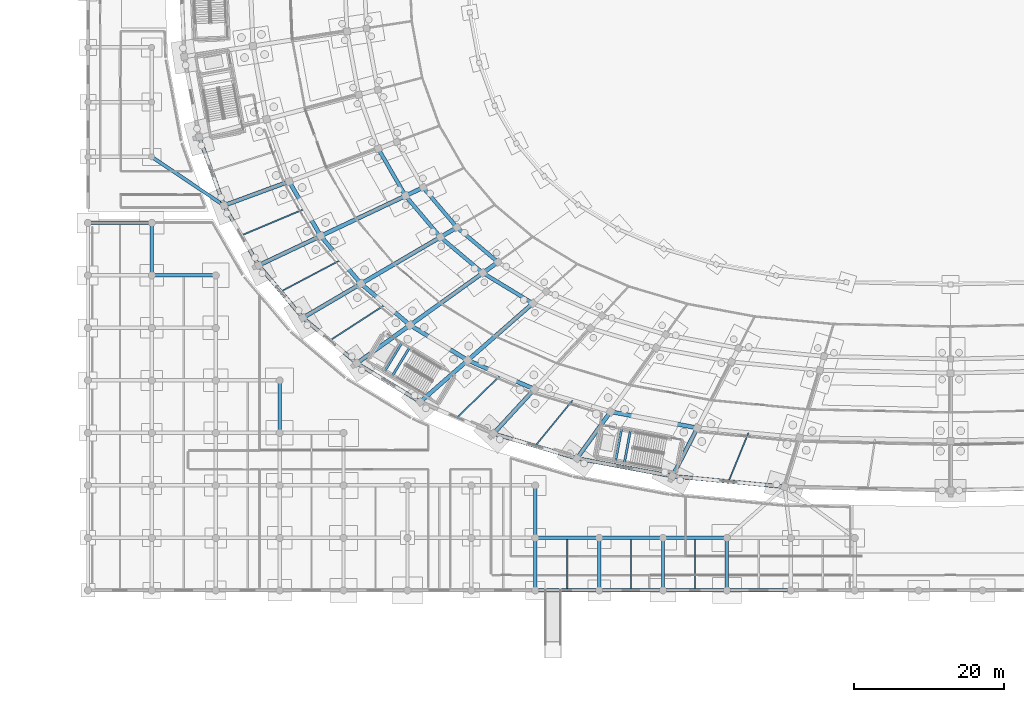
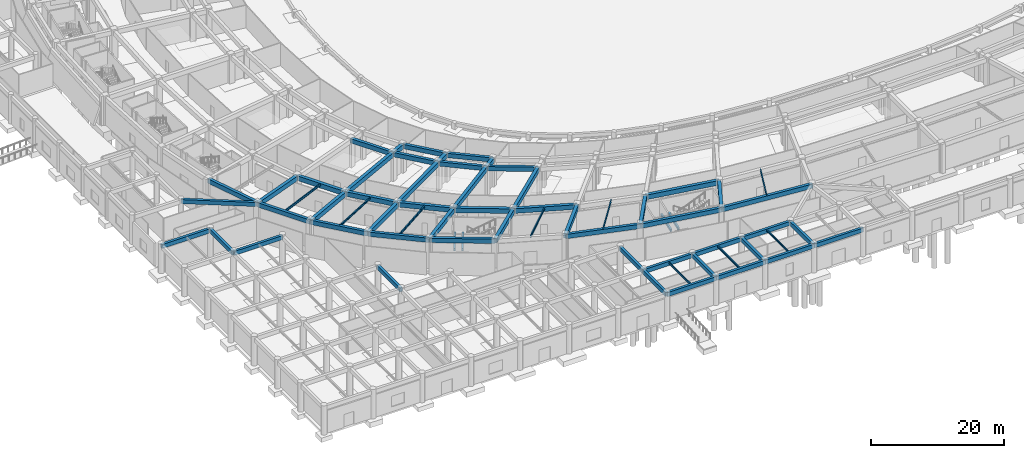
# One storey, part 26 of 88: 65 beams.
"""IFC4 building model written with IfcOpenShell, lengths in metres."""

from ifc_helpers import new_model, si_unit, direction, frame, origin, origin_2d, place, context, subcontext, project, spatial, rectangle, i_section, extrude, material, material_profile, profile_set, type_object, element, save


model = new_model("IFC4")

# Units and contexts
model_context = context("Model", 3, precision=1e-05, world=origin(), true_north=direction((0.0, 1.0)))
body_context = subcontext(model_context, "Body", "Model", "MODEL_VIEW")
ifc_project = project(units=[si_unit("LENGTHUNIT", "METRE"), si_unit("AREAUNIT", "SQUARE_METRE"), si_unit("VOLUMEUNIT", "CUBIC_METRE"), si_unit("PLANEANGLEUNIT", "RADIAN"), si_unit("MASSUNIT", "GRAM", prefix="KILO")], contexts=[model_context])

# Site, building, storey
site_placement = place(None, origin())
site = spatial("IfcSite", under=ifc_project, at=site_placement, CompositionType="ELEMENT")
building_placement = place(site_placement, origin())
building = spatial("IfcBuilding", under=site, at=building_placement, Name="Mphavela Belvedere Stadium", CompositionType="ELEMENT")
storey_placement = place(building_placement, origin())
storey = spatial("IfcBuildingStorey", under=building, at=storey_placement, Name="L00", CompositionType="ELEMENT", Elevation=0.0)

# Beams
ifc_material_1 = material(Name="Steel S355", Category="steel")
ifc_material_profile_1 = material_profile(ifc_material_1, i_section(OverallWidth=0.169921875, OverallDepth=0.360107421875, WebThickness=0.008056640625, FlangeThickness=0.0126953125, at=origin_2d()), Name="IPE 360")
ifc_profile_set_1 = profile_set([ifc_material_profile_1], Name="Steel S355")
beam_type_1 = type_object("IfcBeamType", Name="BM-JOIST-IPE360", PredefinedType="JOIST", material=ifc_profile_set_1)
beam_1_placement = place(storey_placement, frame((33.7119140625, 44.06884765625, 4.969970703125), z_axis=(-0.884250771824, -0.467012390123, 0.0), x_axis=(0.467012390123, -0.884250771824, 0.0)))
element("IfcBeam", 1, at=beam_1_placement, inside=storey, type_object=beam_type_1, Name="Concourse floor joist L00-29", PredefinedType="JOIST", context=body_context, shape_type="SweptSolid", body=[
    extrude(i_section(OverallWidth=0.169921875, OverallDepth=0.360107421875, WebThickness=0.008056640625, FlangeThickness=0.0126953125, at=origin_2d()), origin(), (0.0, 0.0, 1.0), 9.0498046875),
])
beam_2_placement = place(storey_placement, frame((64.593017578125, 25.327392578125, 4.969970703125), z_axis=(-0.632839277586, -0.774283183818, 0.0), x_axis=(0.774283183818, -0.632839277586, 0.0)))
element("IfcBeam", 2, at=beam_2_placement, inside=storey, type_object=beam_type_1, Name="Concourse floor joist L00-33", PredefinedType="JOIST", context=body_context, shape_type="SweptSolid", body=[
    extrude(i_section(OverallWidth=0.169921875, OverallDepth=0.360107421875, WebThickness=0.008056640625, FlangeThickness=0.0126953125, at=origin_2d()), origin(), (0.0, 0.0, 1.0), 7.841552734375),
])
beam_3_placement = place(storey_placement, frame((88.05859375, 21.015380859375, 4.969970703125), z_axis=(-0.378004122754, -0.925803911841, 0.0), x_axis=(0.925803911841, -0.378004122754, 0.0)))
element("IfcBeam", 3, at=beam_3_placement, inside=storey, type_object=beam_type_1, Name="Concourse floor joist L00-35", PredefinedType="JOIST", context=body_context, shape_type="SweptSolid", body=[
    extrude(i_section(OverallWidth=0.169921875, OverallDepth=0.360107421875, WebThickness=0.008056640625, FlangeThickness=0.0126953125, at=origin_2d()), origin(), (0.0, 0.0, 1.0), 7.0166015625),
])
for number, where, z_axis, x_axis, name in (
    (4, (63.888916015625, 0.22509765625, 4.9599609375), (0.0, 1.0, 0.0), (-1.0, 0.0, 0.0), "South Axial Triumphal Peristyle Portico secondary joist L00 8-1"),
    (5, (72.407470703125, 0.22509765625, 4.9599609375), (0.0, 1.0, 0.0), (-1.0, 0.0, 0.0), "South Axial Triumphal Peristyle Portico secondary joist L00 9-1"),
    (6, (80.926025390625, 0.22509765625, 4.9599609375), (0.0, 1.0, 0.0), (-1.0, 0.0, 0.0), "South Axial Triumphal Peristyle Portico secondary joist L00 10-1"),
):
    element("IfcBeam", number, at=place(storey_placement, frame(where, z_axis=z_axis, x_axis=x_axis)), inside=storey, type_object=beam_type_1, Name=name, PredefinedType="JOIST", context=body_context, shape_type="SweptSolid", body=[
        extrude(i_section(OverallWidth=0.169921875, OverallDepth=0.360107421875, WebThickness=0.008056640625, FlangeThickness=0.0126953125, at=origin_2d()), origin(), (0.0, 0.0, 1.0), 6.5498046875),
    ])
ifc_material_2 = material(Name="Steel S355", Category="steel")
ifc_material_profile_2 = material_profile(ifc_material_2, i_section(OverallWidth=0.179931640625, OverallDepth=0.39990234375, WebThickness=0.008544921875, FlangeThickness=0.013427734375, at=origin_2d()), Name="IPE 400")
ifc_profile_set_2 = profile_set([ifc_material_profile_2], Name="Steel S355")
beam_type_2 = type_object("IfcBeamType", Name="BM-JOIST-IPE400", PredefinedType="JOIST", material=ifc_profile_set_2)
beam_4_placement = place(storey_placement, frame((28.924560546875, 50.8837890625, 4.949951171875), z_axis=(-0.922112756047, -0.386921264775, 0.0), x_axis=(0.386921264775, -0.922112756047, 0.0)))
element("IfcBeam", 7, at=beam_4_placement, inside=storey, type_object=beam_type_2, Name="Concourse floor joist L00-28", PredefinedType="JOIST", context=body_context, shape_type="SweptSolid", body=[
    extrude(i_section(OverallWidth=0.179931640625, OverallDepth=0.39990234375, WebThickness=0.008544921875, FlangeThickness=0.013427734375, at=origin_2d()), origin(), (0.0, 0.0, 1.0), 9.189697265625),
])
beam_5_placement = place(storey_placement, frame((39.669189453125, 38.127197265625, 4.949951171875), z_axis=(-0.838915278194, -0.544262028818, 0.0), x_axis=(0.544262028818, -0.838915278194, 0.0)))
element("IfcBeam", 8, at=beam_5_placement, inside=storey, type_object=beam_type_2, Name="Concourse floor joist L00-30", PredefinedType="JOIST", context=body_context, shape_type="SweptSolid", body=[
    extrude(i_section(OverallWidth=0.179931640625, OverallDepth=0.39990234375, WebThickness=0.008544921875, FlangeThickness=0.013427734375, at=origin_2d()), origin(), (0.0, 0.0, 1.0), 8.840087890625),
])
beam_6_placement = place(storey_placement, frame((55.081787109375, 28.757568359375, 4.949951171875), z_axis=(-0.717067022089, -0.697004222249, 0.0), x_axis=(0.697004222249, -0.717067022089, 0.0)))
element("IfcBeam", 9, at=beam_6_placement, inside=storey, type_object=beam_type_2, Name="Concourse floor joist L00-32", PredefinedType="JOIST", context=body_context, shape_type="SweptSolid", body=[
    extrude(i_section(OverallWidth=0.179931640625, OverallDepth=0.39990234375, WebThickness=0.008544921875, FlangeThickness=0.013427734375, at=origin_2d()), origin(), (0.0, 0.0, 1.0), 8.22607421875),
])
ifc_material_3 = material(Name="Concrete C40/50", Category="concrete")
ifc_material_profile_3 = material_profile(ifc_material_3, rectangle(XDim=0.300048828125, YDim=0.449951171875, at=origin_2d()), Name="RC 300x450")
ifc_profile_set_3 = profile_set([ifc_material_profile_3], Name="Concrete C40/50")
beam_type_3 = type_object("IfcBeamType", Name="BM-RC300x450", PredefinedType="BEAM", material=ifc_profile_set_3)
for number, where, z_axis, x_axis, name in (
    (10, (42.879150390625, 32.381591796875, 2.27490234375), (-0.519674893272, -0.854364094109, 0.0), (0.854364094109, -0.519674893272, 0.0), "Core C10 landing trimmer beam L00-1"),
    (11, (41.85400390625, 33.005126953125, 2.27490234375), (-0.519674893272, -0.854364094109, 0.0), (0.854364094109, -0.519674893272, 0.0), "Core C10 landing trimmer beam L00-2"),
):
    element("IfcBeam", number, at=place(storey_placement, frame(where, z_axis=z_axis, x_axis=x_axis)), inside=storey, type_object=beam_type_3, Name=name, PredefinedType="BEAM", context=body_context, shape_type="SweptSolid", body=[
        extrude(rectangle(XDim=0.300048828125, YDim=0.449951171875, at=origin_2d()), origin(), (0.0, 0.0, 1.0), 4.47021484375),
    ])
for number, where, z_axis, x_axis, name in (
    (12, (72.329833984375, 21.36865234375, 2.27490234375), (-0.18307487535, -0.983098972645, 0.0), (0.983098972645, -0.18307487535, 0.0), "Core C11 landing trimmer beam L00-1"),
    (13, (71.150146484375, 21.58837890625, 2.27490234375), (-0.18307487535, -0.983098972645, 0.0), (0.983098972645, -0.18307487535, 0.0), "Core C11 landing trimmer beam L00-2"),
):
    element("IfcBeam", number, at=place(storey_placement, frame(where, z_axis=z_axis, x_axis=x_axis)), inside=storey, type_object=beam_type_3, Name=name, PredefinedType="BEAM", context=body_context, shape_type="SweptSolid", body=[
        extrude(rectangle(XDim=0.300048828125, YDim=0.449951171875, at=origin_2d()), origin(), (0.0, 0.0, 1.0), 4.469970703125),
    ])
ifc_material_4 = material(Name="Concrete C40/50", Category="concrete")
ifc_material_profile_4 = material_profile(ifc_material_4, rectangle(XDim=0.449951171875, YDim=0.75, at=origin_2d()), Name="RC 450x750")
ifc_profile_set_4 = profile_set([ifc_material_profile_4], Name="Concrete C40/50")
beam_type_4 = type_object("IfcBeamType", Name="BM-RC450x750", PredefinedType="BEAM", material=ifc_profile_set_4)
beam_7_placement = place(storey_placement, frame((0.0, 49.0, 4.764892578125), z_axis=(1.0, 0.0, 0.0), x_axis=(0.0, 1.0, 0.0)))
element("IfcBeam", 14, at=beam_7_placement, inside=storey, type_object=beam_type_4, Name="South Axial Triumphal Peristyle Portico entablature beam X L00 1-8", PredefinedType="BEAM", context=body_context, shape_type="SweptSolid", body=[
    extrude(rectangle(XDim=0.449951171875, YDim=0.75, at=origin_2d()), origin(), (0.0, 0.0, 1.0), 8.51904296875),
])
beam_8_placement = place(storey_placement, frame((8.51904296875, 42.0, 4.764892578125), z_axis=(1.0, 0.0, 0.0), x_axis=(0.0, 1.0, 0.0)))
element("IfcBeam", 15, at=beam_8_placement, inside=storey, type_object=beam_type_4, Name="South Axial Triumphal Peristyle Portico entablature beam X L00 2-7", PredefinedType="BEAM", context=body_context, shape_type="SweptSolid", body=[
    extrude(rectangle(XDim=0.449951171875, YDim=0.75, at=origin_2d()), origin(), (0.0, 0.0, 1.0), 8.51806640625),
])
for number, where, z_axis, x_axis, name in (
    (16, (8.51904296875, 42.0, 4.764892578125), (0.0, 1.0, 0.0), (-1.0, 0.0, 0.0), "South Axial Triumphal Peristyle Portico entablature beam Y L00 2-7"),
    (17, (25.555908203125, 21.0, 4.764892578125), (0.0, 1.0, 0.0), (-1.0, 0.0, 0.0), "South Axial Triumphal Peristyle Portico entablature beam Y L00 4-4"),
):
    element("IfcBeam", number, at=place(storey_placement, frame(where, z_axis=z_axis, x_axis=x_axis)), inside=storey, type_object=beam_type_4, Name=name, PredefinedType="BEAM", context=body_context, shape_type="SweptSolid", body=[
        extrude(rectangle(XDim=0.449951171875, YDim=0.75, at=origin_2d()), origin(), (0.0, 0.0, 1.0), 7.0),
    ])
beam_9_placement = place(storey_placement, frame((59.6298828125, 0.0, 4.764892578125), z_axis=(1.0, 0.0, 0.0), x_axis=(0.0, 1.0, 0.0)))
element("IfcBeam", 18, at=beam_9_placement, inside=storey, type_object=beam_type_4, Name="South Axial Triumphal Peristyle Portico entablature beam X L00 8-1", PredefinedType="BEAM", context=body_context, shape_type="SweptSolid", body=[
    extrude(rectangle(XDim=0.449951171875, YDim=0.75, at=origin_2d()), origin(), (0.0, 0.0, 1.0), 8.51806640625),
])
beam_10_placement = place(storey_placement, frame((59.6298828125, 0.0, 4.764892578125), z_axis=(0.0, 1.0, 0.0), x_axis=(-1.0, 0.0, 0.0)))
element("IfcBeam", 19, at=beam_10_placement, inside=storey, type_object=beam_type_4, Name="South Axial Triumphal Peristyle Portico entablature beam Y L00 8-1", PredefinedType="BEAM", context=body_context, shape_type="SweptSolid", body=[
    extrude(rectangle(XDim=0.449951171875, YDim=0.75, at=origin_2d()), origin(), (0.0, 0.0, 1.0), 7.0),
])
beam_11_placement = place(storey_placement, frame((59.6298828125, 7.0, 4.764892578125), z_axis=(1.0, 0.0, 0.0), x_axis=(0.0, 1.0, 0.0)))
element("IfcBeam", 20, at=beam_11_placement, inside=storey, type_object=beam_type_4, Name="South Axial Triumphal Peristyle Portico entablature beam X L00 8-2", PredefinedType="BEAM", context=body_context, shape_type="SweptSolid", body=[
    extrude(rectangle(XDim=0.449951171875, YDim=0.75, at=origin_2d()), origin(), (0.0, 0.0, 1.0), 8.51806640625),
])
beam_12_placement = place(storey_placement, frame((59.6298828125, 7.0, 4.764892578125), z_axis=(0.0, 1.0, 0.0), x_axis=(-1.0, 0.0, 0.0)))
element("IfcBeam", 21, at=beam_12_placement, inside=storey, type_object=beam_type_4, Name="South Axial Triumphal Peristyle Portico entablature beam Y L00 8-2", PredefinedType="BEAM", context=body_context, shape_type="SweptSolid", body=[
    extrude(rectangle(XDim=0.449951171875, YDim=0.75, at=origin_2d()), origin(), (0.0, 0.0, 1.0), 7.0),
])
beam_13_placement = place(storey_placement, frame((68.14794921875, 0.0, 4.764892578125), z_axis=(1.0, 0.0, 0.0), x_axis=(0.0, 1.0, 0.0)))
element("IfcBeam", 22, at=beam_13_placement, inside=storey, type_object=beam_type_4, Name="South Axial Triumphal Peristyle Portico entablature beam X L00 9-1", PredefinedType="BEAM", context=body_context, shape_type="SweptSolid", body=[
    extrude(rectangle(XDim=0.449951171875, YDim=0.75, at=origin_2d()), origin(), (0.0, 0.0, 1.0), 8.51904296875),
])
beam_14_placement = place(storey_placement, frame((68.14794921875, 0.0, 4.764892578125), z_axis=(0.0, 1.0, 0.0), x_axis=(-1.0, 0.0, 0.0)))
element("IfcBeam", 23, at=beam_14_placement, inside=storey, type_object=beam_type_4, Name="South Axial Triumphal Peristyle Portico entablature beam Y L00 9-1", PredefinedType="BEAM", context=body_context, shape_type="SweptSolid", body=[
    extrude(rectangle(XDim=0.449951171875, YDim=0.75, at=origin_2d()), origin(), (0.0, 0.0, 1.0), 7.0),
])
beam_15_placement = place(storey_placement, frame((68.14794921875, 7.0, 4.764892578125), z_axis=(1.0, 0.0, 0.0), x_axis=(0.0, 1.0, 0.0)))
element("IfcBeam", 24, at=beam_15_placement, inside=storey, type_object=beam_type_4, Name="South Axial Triumphal Peristyle Portico entablature beam X L00 9-2", PredefinedType="BEAM", context=body_context, shape_type="SweptSolid", body=[
    extrude(rectangle(XDim=0.449951171875, YDim=0.75, at=origin_2d()), origin(), (0.0, 0.0, 1.0), 8.51904296875),
])
beam_16_placement = place(storey_placement, frame((76.6669921875, 0.0, 4.764892578125), z_axis=(1.0, 0.0, 0.0), x_axis=(0.0, 1.0, 0.0)))
element("IfcBeam", 25, at=beam_16_placement, inside=storey, type_object=beam_type_4, Name="South Axial Triumphal Peristyle Portico entablature beam X L00 10-1", PredefinedType="BEAM", context=body_context, shape_type="SweptSolid", body=[
    extrude(rectangle(XDim=0.449951171875, YDim=0.75, at=origin_2d()), origin(), (0.0, 0.0, 1.0), 8.51806640625),
])
beam_17_placement = place(storey_placement, frame((76.6669921875, 0.0, 4.764892578125), z_axis=(0.0, 1.0, 0.0), x_axis=(-1.0, 0.0, 0.0)))
element("IfcBeam", 26, at=beam_17_placement, inside=storey, type_object=beam_type_4, Name="South Axial Triumphal Peristyle Portico entablature beam Y L00 10-1", PredefinedType="BEAM", context=body_context, shape_type="SweptSolid", body=[
    extrude(rectangle(XDim=0.449951171875, YDim=0.75, at=origin_2d()), origin(), (0.0, 0.0, 1.0), 7.0),
])
beam_18_placement = place(storey_placement, frame((76.6669921875, 7.0, 4.764892578125), z_axis=(1.0, 0.0, 0.0), x_axis=(0.0, 1.0, 0.0)))
element("IfcBeam", 27, at=beam_18_placement, inside=storey, type_object=beam_type_4, Name="South Axial Triumphal Peristyle Portico entablature beam X L00 10-2", PredefinedType="BEAM", context=body_context, shape_type="SweptSolid", body=[
    extrude(rectangle(XDim=0.449951171875, YDim=0.75, at=origin_2d()), origin(), (0.0, 0.0, 1.0), 8.51806640625),
])
beam_19_placement = place(storey_placement, frame((85.18505859375, 0.0, 4.764892578125), z_axis=(1.0, 0.0, 0.0), x_axis=(0.0, 1.0, 0.0)))
element("IfcBeam", 28, at=beam_19_placement, inside=storey, type_object=beam_type_4, Name="South Axial Triumphal Peristyle Portico entablature beam X L00 11-1", PredefinedType="BEAM", context=body_context, shape_type="SweptSolid", body=[
    extrude(rectangle(XDim=0.449951171875, YDim=0.75, at=origin_2d()), origin(), (0.0, 0.0, 1.0), 8.51904296875),
])
beam_20_placement = place(storey_placement, frame((85.18505859375, 0.0, 4.764892578125), z_axis=(0.0, 1.0, 0.0), x_axis=(-1.0, 0.0, 0.0)))
element("IfcBeam", 29, at=beam_20_placement, inside=storey, type_object=beam_type_4, Name="South Axial Triumphal Peristyle Portico entablature beam Y L00 11-1", PredefinedType="BEAM", context=body_context, shape_type="SweptSolid", body=[
    extrude(rectangle(XDim=0.449951171875, YDim=0.75, at=origin_2d()), origin(), (0.0, 0.0, 1.0), 7.0),
])
beam_21_placement = place(storey_placement, frame((8.5, 57.800048828125, 4.764892578125), z_axis=(0.82993028647, -0.557867116436, 0.0), x_axis=(0.557867116436, 0.82993028647, 0.0)))
element("IfcBeam", 30, at=beam_21_placement, inside=storey, type_object=beam_type_4, Name="West Planted Eaves Peristyle Colonnade bowl link girder L00-5", PredefinedType="BEAM", context=body_context, shape_type="SweptSolid", body=[
    extrude(rectangle(XDim=0.449951171875, YDim=0.75, at=origin_2d()), origin(), (0.0, 0.0, 1.0), 11.6201171875),
])
ifc_material_5 = material(Name="Concrete C40/50", Category="concrete")
ifc_material_profile_5 = material_profile(ifc_material_5, rectangle(XDim=0.5, YDim=0.800048828125, at=origin_2d()), Name="RC 500x800")
ifc_profile_set_5 = profile_set([ifc_material_profile_5], Name="Concrete C40/50")
beam_type_5 = type_object("IfcBeamType", Name="BM-RC500x800", PredefinedType="BEAM", material=ifc_profile_set_5)
beam_22_placement = place(storey_placement, frame((38.702880859375, 58.891845703125, 4.75), z_axis=(0.500568314135, -0.86569703874, 0.0), x_axis=(0.86569703874, 0.500568314135, 0.0)))
element("IfcBeam", 31, at=beam_22_placement, inside=storey, type_object=beam_type_5, Name="Circumferential girder L00 R2-28", PredefinedType="BEAM", context=body_context, shape_type="SweptSolid", body=[
    extrude(rectangle(XDim=0.5, YDim=0.800048828125, at=origin_2d()), origin(), (0.0, 0.0, 1.0), 7.2607421875),
])
beam_23_placement = place(storey_placement, frame((44.68701171875, 53.718505859375, 4.75), z_axis=(0.645159025586, -0.764048317651, 0.0), x_axis=(0.764048317651, 0.645159025586, 0.0)))
element("IfcBeam", 32, at=beam_23_placement, inside=storey, type_object=beam_type_5, Name="Circumferential girder L00 R1-29", PredefinedType="BEAM", context=body_context, shape_type="SweptSolid", body=[
    extrude(rectangle(XDim=0.5, YDim=0.800048828125, at=origin_2d()), origin(), (0.0, 0.0, 1.0), 6.975830078125),
])
beam_24_placement = place(storey_placement, frame((42.33740234375, 52.606201171875, 4.75), z_axis=(0.645167637984, -0.764041045297, 0.0), x_axis=(0.764041045297, 0.645167637984, 0.0)))
element("IfcBeam", 33, at=beam_24_placement, inside=storey, type_object=beam_type_5, Name="Circumferential girder L00 R2-29", PredefinedType="BEAM", context=body_context, shape_type="SweptSolid", body=[
    extrude(rectangle(XDim=0.5, YDim=0.800048828125, at=origin_2d()), origin(), (0.0, 0.0, 1.0), 7.208740234375),
])
beam_25_placement = place(storey_placement, frame((49.1875, 48.388671875, 4.75), z_axis=(0.76425683958, -0.644911996442, 0.0), x_axis=(0.644911996442, 0.76425683958, 0.0)))
element("IfcBeam", 34, at=beam_25_placement, inside=storey, type_object=beam_type_5, Name="Circumferential girder L00 R1-30", PredefinedType="BEAM", context=body_context, shape_type="SweptSolid", body=[
    extrude(rectangle(XDim=0.5, YDim=0.800048828125, at=origin_2d()), origin(), (0.0, 0.0, 1.0), 7.1640625),
])
beam_26_placement = place(storey_placement, frame((46.98828125, 47.098388671875, 4.75), z_axis=(0.764257451296, -0.644911271523, 0.0), x_axis=(0.644911271523, 0.764257451296, 0.0)))
element("IfcBeam", 35, at=beam_26_placement, inside=storey, type_object=beam_type_5, Name="Circumferential girder L00 R2-30", PredefinedType="BEAM", context=body_context, shape_type="SweptSolid", body=[
    extrude(rectangle(XDim=0.5, YDim=0.800048828125, at=origin_2d()), origin(), (0.0, 0.0, 1.0), 7.4033203125),
])
beam_27_placement = place(storey_placement, frame((52.646240234375, 42.323974609375, 4.75), z_axis=(0.854328477138, -0.519733444326, 0.0), x_axis=(0.519733444326, 0.854328477138, 0.0)))
element("IfcBeam", 36, at=beam_27_placement, inside=storey, type_object=beam_type_5, Name="Circumferential girder L00 R2-31", PredefinedType="BEAM", context=body_context, shape_type="SweptSolid", body=[
    extrude(rectangle(XDim=0.5, YDim=0.800048828125, at=origin_2d()), origin(), (0.0, 0.0, 1.0), 7.800048828125),
])
ifc_material_6 = material(Name="Concrete C40/50", Category="concrete")
ifc_material_profile_6 = material_profile(ifc_material_6, rectangle(XDim=0.550048828125, YDim=0.85009765625, at=origin_2d()), Name="RC 550x850")
ifc_profile_set_6 = profile_set([ifc_material_profile_6], Name="Concrete C40/50")
beam_type_6 = type_object("IfcBeamType", Name="BM-RC550x850", PredefinedType="BEAM", material=ifc_profile_set_6)
beam_28_placement = place(storey_placement, frame((26.824462890625, 54.515625, 4.72509765625), z_axis=(0.500547586322, -0.865709023765, 0.0), x_axis=(0.865709023765, 0.500547586322, 0.0)))
element("IfcBeam", 37, at=beam_28_placement, inside=storey, type_object=beam_type_6, Name="Circumferential girder L00 R3-28", PredefinedType="BEAM", context=body_context, shape_type="SweptSolid", body=[
    extrude(rectangle(XDim=0.550048828125, YDim=0.85009765625, at=origin_2d()), origin(), (0.0, 0.0, 1.0), 8.390625),
])
beam_29_placement = place(storey_placement, frame((26.824462890625, 54.515625, 4.72509765625), z_axis=(-0.938348073025, -0.345691905967, 0.0), x_axis=(0.345691905967, -0.938348073025, 0.0)))
element("IfcBeam", 38, at=beam_29_placement, inside=storey, type_object=beam_type_6, Name="Radial concourse girder L00 R3R4-28", PredefinedType="BEAM", context=body_context, shape_type="SweptSolid", body=[
    extrude(rectangle(XDim=0.550048828125, YDim=0.85009765625, at=origin_2d()), origin(), (0.0, 0.0, 1.0), 9.2509765625),
])
beam_30_placement = place(storey_placement, frame((31.0244140625, 47.251708984375, 4.72509765625), z_axis=(0.645177396673, -0.764032804808, 0.0), x_axis=(0.764032804808, 0.645177396673, 0.0)))
element("IfcBeam", 39, at=beam_30_placement, inside=storey, type_object=beam_type_6, Name="Circumferential girder L00 R3-29", PredefinedType="BEAM", context=body_context, shape_type="SweptSolid", body=[
    extrude(rectangle(XDim=0.550048828125, YDim=0.85009765625, at=origin_2d()), origin(), (0.0, 0.0, 1.0), 8.331298828125),
])
beam_31_placement = place(storey_placement, frame((44.68701171875, 53.718505859375, 4.72509765625), z_axis=(-0.903837253846, -0.427876405707, 0.0), x_axis=(0.427876405707, -0.903837253846, 0.0)))
element("IfcBeam", 40, at=beam_31_placement, inside=storey, type_object=beam_type_6, Name="Radial concourse girder L00 R1R2-29", PredefinedType="BEAM", context=body_context, shape_type="SweptSolid", body=[
    extrude(rectangle(XDim=0.550048828125, YDim=0.85009765625, at=origin_2d()), origin(), (0.0, 0.0, 1.0), 2.599609375),
])
beam_32_placement = place(storey_placement, frame((42.33740234375, 52.606201171875, 4.72509765625), z_axis=(-0.903870454162, -0.427806267009, 0.0), x_axis=(0.427806267009, -0.903870454162, 0.0)))
element("IfcBeam", 41, at=beam_32_placement, inside=storey, type_object=beam_type_6, Name="Radial concourse girder L00 R2R3-29", PredefinedType="BEAM", context=body_context, shape_type="SweptSolid", body=[
    extrude(rectangle(XDim=0.550048828125, YDim=0.85009765625, at=origin_2d()), origin(), (0.0, 0.0, 1.0), 12.51611328125),
])
beam_33_placement = place(storey_placement, frame((31.0244140625, 47.251708984375, 4.72509765625), z_axis=(-0.903845427073, -0.427859140325, 0.0), x_axis=(0.427859140325, -0.903845427073, 0.0)))
element("IfcBeam", 42, at=beam_33_placement, inside=storey, type_object=beam_type_6, Name="Radial concourse girder L00 R3R4-29", PredefinedType="BEAM", context=body_context, shape_type="SweptSolid", body=[
    extrude(rectangle(XDim=0.550048828125, YDim=0.85009765625, at=origin_2d()), origin(), (0.0, 0.0, 1.0), 9.146240234375),
])
beam_34_placement = place(storey_placement, frame((36.399658203125, 40.88623046875, 4.72509765625), z_axis=(0.764263355392, -0.644904274761, 0.0), x_axis=(0.644904274761, 0.764263355392, 0.0)))
element("IfcBeam", 43, at=beam_34_placement, inside=storey, type_object=beam_type_6, Name="Circumferential girder L00 R3-30", PredefinedType="BEAM", context=body_context, shape_type="SweptSolid", body=[
    extrude(rectangle(XDim=0.550048828125, YDim=0.85009765625, at=origin_2d()), origin(), (0.0, 0.0, 1.0), 8.55615234375),
])
beam_35_placement = place(storey_placement, frame((49.1875, 48.388671875, 4.72509765625), z_axis=(-0.862512089915, -0.50603645595, 0.0), x_axis=(0.50603645595, -0.862512089915, 0.0)))
element("IfcBeam", 44, at=beam_35_placement, inside=storey, type_object=beam_type_6, Name="Radial concourse girder L00 R1R2-30", PredefinedType="BEAM", context=body_context, shape_type="SweptSolid", body=[
    extrude(rectangle(XDim=0.550048828125, YDim=0.85009765625, at=origin_2d()), origin(), (0.0, 0.0, 1.0), 2.5498046875),
])
beam_36_placement = place(storey_placement, frame((46.98828125, 47.098388671875, 4.72509765625), z_axis=(-0.862519003522, -0.506024671892, 0.0), x_axis=(0.506024671892, -0.862519003522, 0.0)))
element("IfcBeam", 45, at=beam_36_placement, inside=storey, type_object=beam_type_6, Name="Radial concourse girder L00 R2R3-30", PredefinedType="BEAM", context=body_context, shape_type="SweptSolid", body=[
    extrude(rectangle(XDim=0.550048828125, YDim=0.85009765625, at=origin_2d()), origin(), (0.0, 0.0, 1.0), 12.2763671875),
])
beam_37_placement = place(storey_placement, frame((36.399658203125, 40.88623046875, 4.72509765625), z_axis=(-0.862517779395, -0.506026758411, 0.0), x_axis=(0.506026758411, -0.862517779395, 0.0)))
element("IfcBeam", 46, at=beam_37_placement, inside=storey, type_object=beam_type_6, Name="Radial concourse girder L00 R3R4-30", PredefinedType="BEAM", context=body_context, shape_type="SweptSolid", body=[
    extrude(rectangle(XDim=0.550048828125, YDim=0.85009765625, at=origin_2d()), origin(), (0.0, 0.0, 1.0), 8.971435546875),
])
beam_38_placement = place(storey_placement, frame((42.938720703125, 35.368408203125, 4.72509765625), z_axis=(0.854315160357, -0.519755333579, 0.0), x_axis=(0.519755333579, 0.854315160357, 0.0)))
element("IfcBeam", 47, at=beam_38_placement, inside=storey, type_object=beam_type_6, Name="Circumferential girder L00 R3-31", PredefinedType="BEAM", context=body_context, shape_type="SweptSolid", body=[
    extrude(rectangle(XDim=0.550048828125, YDim=0.85009765625, at=origin_2d()), origin(), (0.0, 0.0, 1.0), 9.014404296875),
])
beam_39_placement = place(storey_placement, frame((54.66259765625, 43.7685546875, 4.72509765625), z_axis=(-0.81290799415, -0.582392129966, 0.0), x_axis=(0.582392129966, -0.81290799415, 0.0)))
element("IfcBeam", 48, at=beam_39_placement, inside=storey, type_object=beam_type_6, Name="Radial concourse girder L00 R1R2-31", PredefinedType="BEAM", context=body_context, shape_type="SweptSolid", body=[
    extrude(rectangle(XDim=0.550048828125, YDim=0.85009765625, at=origin_2d()), origin(), (0.0, 0.0, 1.0), 2.48046875),
])
beam_40_placement = place(storey_placement, frame((52.646240234375, 42.323974609375, 4.72509765625), z_axis=(-0.812876169184, -0.582436548967, 0.0), x_axis=(0.582436548967, -0.812876169184, 0.0)))
element("IfcBeam", 49, at=beam_40_placement, inside=storey, type_object=beam_type_6, Name="Radial concourse girder L00 R2R3-31", PredefinedType="BEAM", context=body_context, shape_type="SweptSolid", body=[
    extrude(rectangle(XDim=0.550048828125, YDim=0.85009765625, at=origin_2d()), origin(), (0.0, 0.0, 1.0), 11.942138671875),
])
beam_41_placement = place(storey_placement, frame((42.938720703125, 35.368408203125, 4.72509765625), z_axis=(-0.812882024932, -0.582428376319, 0.0), x_axis=(0.582428376319, -0.812882024932, 0.0)))
element("IfcBeam", 50, at=beam_41_placement, inside=storey, type_object=beam_type_6, Name="Radial concourse girder L00 R3R4-31", PredefinedType="BEAM", context=body_context, shape_type="SweptSolid", body=[
    extrude(rectangle(XDim=0.550048828125, YDim=0.85009765625, at=origin_2d()), origin(), (0.0, 0.0, 1.0), 8.727294921875),
])
beam_42_placement = place(storey_placement, frame((50.639892578125, 30.68310546875, 4.72509765625), z_axis=(0.917501650019, -0.397731972832, 0.0), x_axis=(0.397731972832, 0.917501650019, 0.0)))
element("IfcBeam", 51, at=beam_42_placement, inside=storey, type_object=beam_type_6, Name="Circumferential girder L00 R3-32", PredefinedType="BEAM", context=body_context, shape_type="SweptSolid", body=[
    extrude(rectangle(XDim=0.550048828125, YDim=0.85009765625, at=origin_2d()), origin(), (0.0, 0.0, 1.0), 9.6826171875),
])
beam_43_placement = place(storey_placement, frame((59.31005859375, 38.27001953125, 4.72509765625), z_axis=(-0.752554378136, -0.658530111648, 0.0), x_axis=(0.658530111648, -0.752554378136, 0.0)))
element("IfcBeam", 52, at=beam_43_placement, inside=storey, type_object=beam_type_6, Name="Radial concourse girder L00 R2R3-32", PredefinedType="BEAM", context=body_context, shape_type="SweptSolid", body=[
    extrude(rectangle(XDim=0.550048828125, YDim=0.85009765625, at=origin_2d()), origin(), (0.0, 0.0, 1.0), 11.52099609375),
])
beam_44_placement = place(storey_placement, frame((50.639892578125, 30.68310546875, 4.72509765625), z_axis=(-0.752589268993, -0.658490236978, 0.0), x_axis=(0.658490236978, -0.752589268993, 0.0)))
element("IfcBeam", 53, at=beam_44_placement, inside=storey, type_object=beam_type_6, Name="Radial concourse girder L00 R3R4-32", PredefinedType="BEAM", context=body_context, shape_type="SweptSolid", body=[
    extrude(rectangle(XDim=0.550048828125, YDim=0.85009765625, at=origin_2d()), origin(), (0.0, 0.0, 1.0), 8.419189453125),
])
beam_45_placement = place(storey_placement, frame((59.523681640625, 26.83203125, 4.72509765625), z_axis=(-0.67784325477, -0.735206448532, 0.0), x_axis=(0.735206448532, -0.67784325477, 0.0)))
element("IfcBeam", 54, at=beam_45_placement, inside=storey, type_object=beam_type_6, Name="Radial concourse girder L00 R3R4-33", PredefinedType="BEAM", context=body_context, shape_type="SweptSolid", body=[
    extrude(rectangle(XDim=0.550048828125, YDim=0.85009765625, at=origin_2d()), origin(), (0.0, 0.0, 1.0), 8.056640625),
])
beam_46_placement = place(storey_placement, frame((69.662109375, 23.822509765625, 4.72509765625), z_axis=(0.983097725009, -0.18308157494, 0.0), x_axis=(0.18308157494, 0.983097725009, 0.0)))
element("IfcBeam", 55, at=beam_46_placement, inside=storey, type_object=beam_type_6, Name="Circumferential girder L00 R3-34", PredefinedType="BEAM", context=body_context, shape_type="SweptSolid", body=[
    extrude(rectangle(XDim=0.550048828125, YDim=0.85009765625, at=origin_2d()), origin(), (0.0, 0.0, 1.0), 11.786865234375),
])
beam_47_placement = place(storey_placement, frame((69.662109375, 23.822509765625, 4.72509765625), z_axis=(-0.583043812448, -0.812440713385, 0.0), x_axis=(0.812440713385, -0.583043812448, 0.0)))
element("IfcBeam", 56, at=beam_47_placement, inside=storey, type_object=beam_type_6, Name="Radial concourse girder L00 R3R4-34", PredefinedType="BEAM", context=body_context, shape_type="SweptSolid", body=[
    extrude(rectangle(XDim=0.550048828125, YDim=0.85009765625, at=origin_2d()), origin(), (0.0, 0.0, 1.0), 7.6552734375),
])
beam_48_placement = place(storey_placement, frame((81.249755859375, 21.66455078125, 4.72509765625), z_axis=(-0.458951286165, -0.888461432436, 0.0), x_axis=(0.888461432436, -0.458951286165, 0.0)))
element("IfcBeam", 57, at=beam_48_placement, inside=storey, type_object=beam_type_6, Name="Radial concourse girder L00 R3R4-35", PredefinedType="BEAM", context=body_context, shape_type="SweptSolid", body=[
    extrude(rectangle(XDim=0.550048828125, YDim=0.85009765625, at=origin_2d()), origin(), (0.0, 0.0, 1.0), 7.2392578125),
])
ifc_material_7 = material(Name="Concrete C40/50", Category="concrete")
ifc_material_profile_7 = material_profile(ifc_material_7, rectangle(XDim=0.5, YDim=0.800048828125, at=origin_2d()), Name="RC 500x800")
ifc_profile_set_7 = profile_set([ifc_material_profile_7], Name="Concrete C40/50")
beam_type_7 = type_object("IfcBeamType", Name="BM-SPANDREL-800", PredefinedType="SPANDREL", material=ifc_profile_set_7)
beam_49_placement = place(storey_placement, frame((14.83544921875, 60.4375, 4.75), z_axis=(0.341017570596, -0.94005692197, 0.0), x_axis=(0.94005692197, 0.341017570596, 0.0)))
element("IfcBeam", 58, at=beam_49_placement, inside=storey, type_object=beam_type_7, Name="Circumferential girder L00 R4-27", PredefinedType="SPANDREL", context=body_context, shape_type="SweptSolid", body=[
    extrude(rectangle(XDim=0.5, YDim=0.800048828125, at=origin_2d()), origin(), (0.0, 0.0, 1.0), 9.701416015625),
])
beam_50_placement = place(storey_placement, frame((18.143798828125, 51.317626953125, 4.75), z_axis=(0.500565297122, -0.865698783248, 0.0), x_axis=(0.865698783248, 0.500565297122, 0.0)))
element("IfcBeam", 59, at=beam_50_placement, inside=storey, type_object=beam_type_7, Name="Circumferential girder L00 R4-28", PredefinedType="SPANDREL", context=body_context, shape_type="SweptSolid", body=[
    extrude(rectangle(XDim=0.5, YDim=0.800048828125, at=origin_2d()), origin(), (0.0, 0.0, 1.0), 9.217041015625),
])
beam_51_placement = place(storey_placement, frame((22.757568359375, 43.33837890625, 4.75), z_axis=(0.645164552218, -0.764043650952, 0.0), x_axis=(0.764043650952, 0.645164552218, 0.0)))
element("IfcBeam", 60, at=beam_51_placement, inside=storey, type_object=beam_type_7, Name="Circumferential girder L00 R4-29", PredefinedType="SPANDREL", context=body_context, shape_type="SweptSolid", body=[
    extrude(rectangle(XDim=0.5, YDim=0.800048828125, at=origin_2d()), origin(), (0.0, 0.0, 1.0), 9.151123046875),
])
beam_52_placement = place(storey_placement, frame((28.66162109375, 36.346435546875, 4.75), z_axis=(0.76426547638, -0.644901761212, 0.0), x_axis=(0.644901761212, 0.76426547638, 0.0)))
element("IfcBeam", 61, at=beam_52_placement, inside=storey, type_object=beam_type_7, Name="Circumferential girder L00 R4-30", PredefinedType="SPANDREL", context=body_context, shape_type="SweptSolid", body=[
    extrude(rectangle(XDim=0.5, YDim=0.800048828125, at=origin_2d()), origin(), (0.0, 0.0, 1.0), 9.3984375),
])
beam_53_placement = place(storey_placement, frame((35.844482421875, 30.285400390625, 4.75), z_axis=(0.854326607994, -0.51973651678, 0.0), x_axis=(0.51973651678, 0.854326607994, 0.0)))
element("IfcBeam", 62, at=beam_53_placement, inside=storey, type_object=beam_type_7, Name="Circumferential girder L00 R4-31", PredefinedType="SPANDREL", context=body_context, shape_type="SweptSolid", body=[
    extrude(rectangle(XDim=0.5, YDim=0.800048828125, at=origin_2d()), origin(), (0.0, 0.0, 1.0), 9.901611328125),
])
beam_54_placement = place(storey_placement, frame((54.0625, 20.90869140625, 4.75), z_axis=(0.958656362639, -0.284566298727, 0.0), x_axis=(0.284566298727, 0.958656362639, 0.0)))
element("IfcBeam", 63, at=beam_54_placement, inside=storey, type_object=beam_type_7, Name="Circumferential girder L00 R4-33", PredefinedType="SPANDREL", context=body_context, shape_type="SweptSolid", body=[
    extrude(rectangle(XDim=0.5, YDim=0.800048828125, at=origin_2d()), origin(), (0.0, 0.0, 1.0), 11.616455078125),
])
beam_55_placement = place(storey_placement, frame((65.19873046875, 17.60302734375, 4.75), z_axis=(0.983098571421, -0.183077029882, 0.0), x_axis=(0.183077029882, 0.983098571421, 0.0)))
element("IfcBeam", 64, at=beam_55_placement, inside=storey, type_object=beam_type_7, Name="Circumferential girder L00 R4-34", PredefinedType="SPANDREL", context=body_context, shape_type="SweptSolid", body=[
    extrude(rectangle(XDim=0.5, YDim=0.800048828125, at=origin_2d()), origin(), (0.0, 0.0, 1.0), 12.947265625),
])
beam_56_placement = place(storey_placement, frame((77.92724609375, 15.232666015625, 4.75), z_axis=(0.995483415661, -0.094935605244, 0.0), x_axis=(0.094935605244, 0.995483415661, 0.0)))
element("IfcBeam", 65, at=beam_56_placement, inside=storey, type_object=beam_type_7, Name="Circumferential girder L00 R4-35", PredefinedType="SPANDREL", context=body_context, shape_type="SweptSolid", body=[
    extrude(rectangle(XDim=0.5, YDim=0.800048828125, at=origin_2d()), origin(), (0.0, 0.0, 1.0), 15.026123046875),
])

save(model, "model.ifc")
